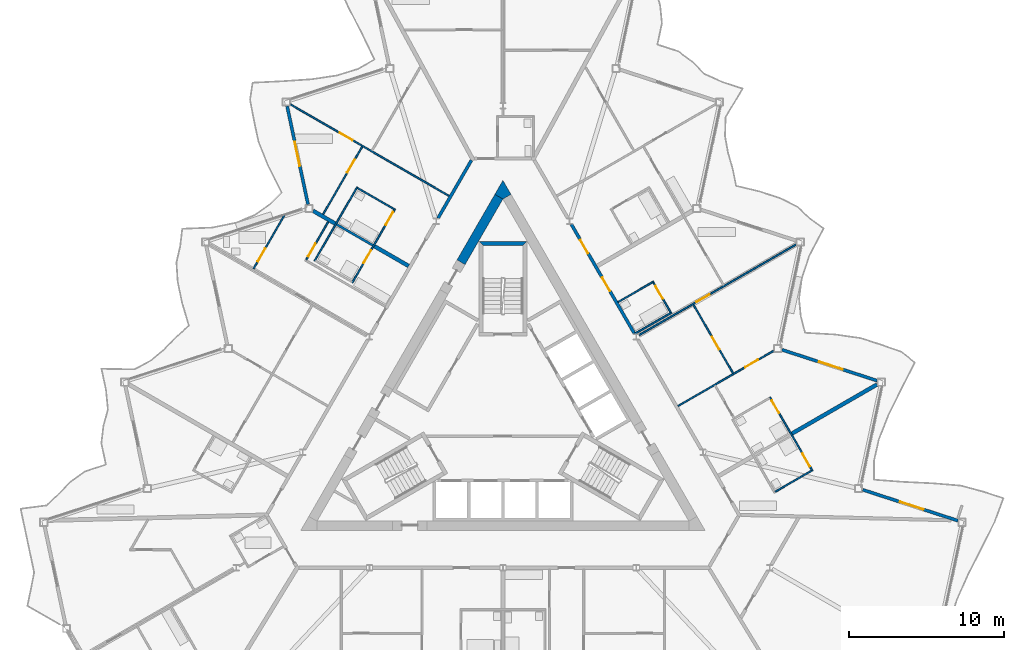
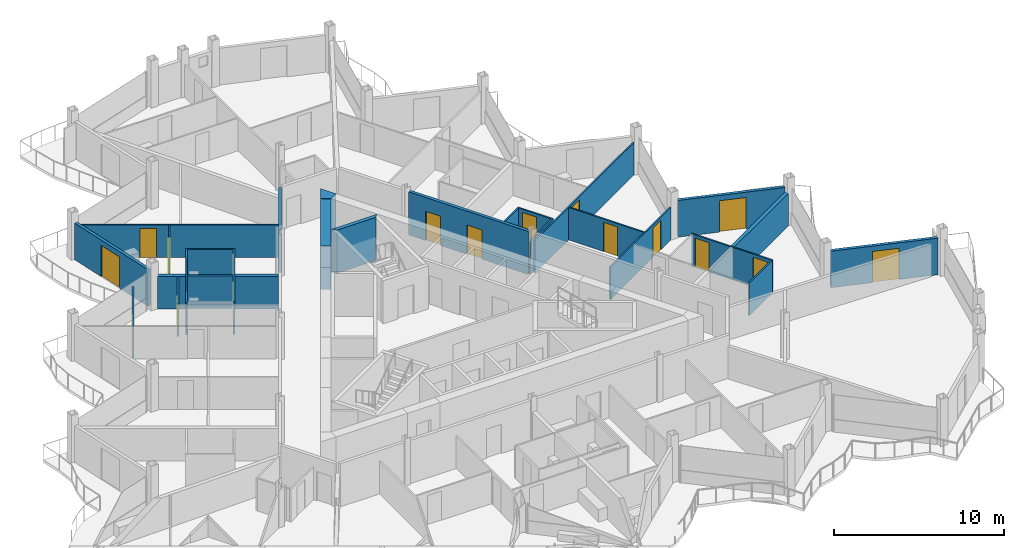
# One storey, part 16 of 26: 27 walls, 17 doors, 17 openings.
"""IFC4 building model written with IfcOpenShell, lengths in metres."""

from ifc_helpers import new_model, si_unit, direction, frame, frame_2d, origin, place, context, subcontext, project, spatial, polyline, rectangle, outline, extrude, material, layer, layer_set, type_object, element, fill, save


model = new_model("IFC4")

# Units and contexts
model_context = context("Model", 3, precision=1e-05, world=origin(), true_north=direction((0.0, 1.0)))
body_context = subcontext(model_context, "Body", "Model", "MODEL_VIEW")
ifc_project = project(units=[si_unit("LENGTHUNIT", "METRE"), si_unit("AREAUNIT", "SQUARE_METRE"), si_unit("VOLUMEUNIT", "CUBIC_METRE"), si_unit("PLANEANGLEUNIT", "RADIAN"), si_unit("MASSUNIT", "GRAM", prefix="KILO")], contexts=[model_context])

# Site, building, storey
site_placement = place(None, origin())
site = spatial("IfcSite", under=ifc_project, at=site_placement, CompositionType="ELEMENT")
building_placement = place(site_placement, origin())
building = spatial("IfcBuilding", under=site, at=building_placement, Name="Cormorant Prow Tower", CompositionType="ELEMENT")
storey_placement = place(building_placement, frame((0.0, 0.0, 398.39990234375)))
storey = spatial("IfcBuildingStorey", under=building, at=storey_placement, Name="L91", CompositionType="ELEMENT", Elevation=398.39990234375)

# Walls
ifc_material_1 = material(Name="Concrete 8000 psi", Category="concrete")
ifc_layer_1 = layer(ifc_material_1, 0.60009765625)
ifc_layer_set_1 = layer_set([ifc_layer_1], Name="Concrete 8000 psi")
wall_type_1 = type_object("IfcWallType", Name="Core shear wall 600", PredefinedType="SHEAR", material=ifc_layer_set_1)
wall_1_placement = place(storey_placement, frame((-0.259765625, 13.961181640625, 0.0), z_axis=(0.0, 0.0, 1.0), x_axis=(-0.50000604952, -0.866021911064, 0.0)))
element("IfcWall", 1, at=wall_1_placement, inside=storey, type_object=wall_type_1, Name="Core wall", PredefinedType="SHEAR", context=body_context, shape_type="SweptSolid", body=[
    extrude(rectangle(XDim=4.86865234375, YDim=0.60009765625, at=frame_2d((2.434326171875, 0.0))), origin(), (0.0, 0.0, 1.0), 3.10009765625),
])
wall_2_placement = place(storey_placement, origin())
element("IfcWall", 2, at=wall_2_placement, inside=storey, type_object=wall_type_1, Name="Core wall corner", PredefinedType="SHEAR", context=body_context, shape_type="SweptSolid", body=[
    extrude(outline(polyline([(-0.51953125, 14.111083984375), (0.0, 15.010986328125), (0.51953125, 14.111083984375), (0.0, 13.81103515625), (-0.51953125, 14.111083984375)])), origin(), (0.0, 0.0, 1.0), 3.10009765625),
])

# Wall, openings, doors
ifc_material_2 = material(Name="Gypsum board corridor wall")
ifc_layer_2 = layer(ifc_material_2, 0.199951171875)
ifc_layer_set_2 = layer_set([ifc_layer_2], Name="Gypsum board corridor wall")
wall_type_2 = type_object("IfcWallType", Name="Corridor wall 200", PredefinedType="PARTITIONING", material=ifc_layer_set_2)
wall_3_placement = place(storey_placement, frame((4.403076171875, 12.184814453125, 0.0), z_axis=(0.0, 0.0, 1.0), x_axis=(0.499992155518, -0.866029932751, 0.0)))
wall_3 = element("IfcWall", 3, at=wall_3_placement, inside=storey, type_object=wall_type_2, Name="Corridor wall", PredefinedType="PARTITIONING", context=body_context, shape_type="SweptSolid", body=[
    extrude(rectangle(XDim=8.123291015625, YDim=0.199951171875, at=frame_2d((4.0615234375, 0.0))), origin(), (0.0, 0.0, 1.0), 3.10009765625),
])
opening_1_placement = place(wall_3_placement, frame((3.963134765625, 0.0, 0.0)))
opening_1 = element("IfcOpeningElement", 4, at=opening_1_placement, cuts=wall_3, Name="Opening L91-F20", PredefinedType="OPENING", context=body_context, shape_type="SweptSolid", body=[
    extrude(rectangle(XDim=1.0, YDim=2.10009765625, at=frame_2d((0.5, 1.050048828125))), frame((0.0, 0.10986328125, 0.0), z_axis=(0.0, -1.0, 0.0), x_axis=(1.0, 0.0, 0.0)), (0.0, 0.0, 1.0), 0.219970703125),
])
opening_2_placement = place(wall_3_placement, frame((1.1533203125, 0.0, 0.0)))
opening_2 = element("IfcOpeningElement", 5, at=opening_2_placement, cuts=wall_3, Name="Opening L91-F28", PredefinedType="OPENING", context=body_context, shape_type="SweptSolid", body=[
    extrude(rectangle(XDim=1.0, YDim=2.10009765625, at=frame_2d((0.5, 1.050048828125))), frame((0.0, 0.10986328125, 0.0), z_axis=(0.0, -1.0, 0.0), x_axis=(1.0, 0.0, 0.0)), (0.0, 0.0, 1.0), 0.219970703125),
])
ifc_material_3 = material(Name="Timber door leaf", Category="wood")
door_type_1 = type_object("IfcDoorType", Name="Flat or room entrance door 1000x2100", OperationType="NOTDEFINED", PredefinedType="DOOR", material=ifc_material_3)
door_1_placement = place(opening_1_placement, origin())
door_1 = element("IfcDoor", 6, at=door_1_placement, inside=storey, type_object=door_type_1, Name="Living room door", OperationType="SINGLE_SWING_LEFT", OverallHeight=2.10009765625, OverallWidth=1.0, PredefinedType="DOOR", context=body_context, shape_type="SweptSolid", body=[
    extrude(rectangle(XDim=1.0, YDim=2.10009765625, at=frame_2d((0.5, 1.050048828125))), frame((0.0, 0.02490234375, 0.0), z_axis=(0.0, -1.0, 0.0), x_axis=(1.0, 0.0, 0.0)), (0.0, 0.0, 1.0), 0.050048828125),
])
fill(opening_1, door_1)
door_2_placement = place(opening_2_placement, origin())
door_2 = element("IfcDoor", 7, at=door_2_placement, inside=storey, type_object=door_type_1, Name="Living room door", OperationType="SINGLE_SWING_RIGHT", OverallHeight=2.10009765625, OverallWidth=1.0, PredefinedType="DOOR", context=body_context, shape_type="SweptSolid", body=[
    extrude(rectangle(XDim=1.0, YDim=2.10009765625, at=frame_2d((0.5, 1.050048828125))), frame((0.0, 0.02490234375, 0.0), z_axis=(0.0, -1.0, 0.0), x_axis=(1.0, 0.0, 0.0)), (0.0, 0.0, 1.0), 0.050048828125),
])
fill(opening_2, door_2)

# Wall
wall_4_placement = place(storey_placement, frame((-4.175537109375, 12.578857421875, 0.0), z_axis=(0.0, 0.0, 1.0), x_axis=(0.500004215162, 0.866022970146, 0.0)))
element("IfcWall", 8, at=wall_4_placement, inside=storey, type_object=wall_type_2, Name="Corridor wall", PredefinedType="PARTITIONING", context=body_context, shape_type="SweptSolid", body=[
    extrude(rectangle(XDim=4.30029296875, YDim=0.199951171875, at=frame_2d((2.150146484375, 0.0))), origin(), (0.0, 0.0, 1.0), 3.10009765625),
])

# Wall, opening, door
ifc_material_4 = material(Name="Gypsum board partition")
ifc_layer_3 = layer(ifc_material_4, 0.10009765625)
ifc_layer_set_3 = layer_set([ifc_layer_3], Name="Gypsum board partition")
wall_type_3 = type_object("IfcWallType", Name="Internal partition 100", PredefinedType="PARTITIONING", material=ifc_layer_set_3)
wall_5_placement = place(storey_placement, frame((-13.668701171875, 19.900390625, 0.0), z_axis=(0.0, 0.0, 1.0), x_axis=(0.866032376801, -0.499987922186, 0.0)))
wall_5 = element("IfcWall", 9, at=wall_5_placement, inside=storey, type_object=wall_type_3, Name="Internal partition", PredefinedType="PARTITIONING", context=body_context, shape_type="SweptSolid", body=[
    extrude(rectangle(XDim=11.781982421875, YDim=0.10009765625, at=frame_2d((5.89111328125, 0.0))), origin(), (0.0, 0.0, 1.0), 2.330078125),
])
opening_3_placement = place(wall_5_placement, frame((3.66064453125, 0.0, 0.0)))
opening_3 = element("IfcOpeningElement", 10, at=opening_3_placement, cuts=wall_5, Name="Opening L91-F42", PredefinedType="OPENING", context=body_context, shape_type="SweptSolid", body=[
    extrude(rectangle(XDim=0.949951171875, YDim=2.10009765625, at=frame_2d((0.47509765625, 1.050048828125))), frame((0.0, 0.06005859375, 0.0), z_axis=(0.0, -1.0, 0.0), x_axis=(1.0, 0.0, 0.0)), (0.0, 0.0, 1.0), 0.1201171875),
])
ifc_material_5 = material(Name="Timber door leaf", Category="wood")
door_type_2 = type_object("IfcDoorType", Name="Bathroom door 950x2100", OperationType="NOTDEFINED", PredefinedType="DOOR", material=ifc_material_5)
door_3_placement = place(opening_3_placement, origin())
door_3 = element("IfcDoor", 11, at=door_3_placement, inside=storey, type_object=door_type_2, Name="Kitchen door", OperationType="SINGLE_SWING_RIGHT", OverallHeight=2.10009765625, OverallWidth=0.949951171875, PredefinedType="DOOR", context=body_context, shape_type="SweptSolid", body=[
    extrude(rectangle(XDim=0.949951171875, YDim=2.10009765625, at=frame_2d((0.47509765625, 1.050048828125))), frame((0.0, 0.02490234375, 0.0), z_axis=(0.0, -1.0, 0.0), x_axis=(1.0, 0.0, 0.0)), (0.0, 0.0, 1.0), 0.050048828125),
])
fill(opening_3, door_3)

wall_6_placement = place(storey_placement, frame((8.775390625, 5.06640625, 0.0), z_axis=(0.0, 0.0, 1.0), x_axis=(0.866023724155, 0.500002909193, 0.0)))
wall_6 = element("IfcWall", 12, at=wall_6_placement, inside=storey, type_object=wall_type_3, Name="Internal partition", PredefinedType="PARTITIONING", context=body_context, shape_type="SweptSolid", body=[
    extrude(rectangle(XDim=11.65478515625, YDim=0.10009765625, at=frame_2d((5.827392578125, 0.0))), origin(), (0.0, 0.0, 1.0), 2.330078125),
])
opening_4_placement = place(wall_6_placement, frame((4.251708984375, 0.0, 0.0)))
opening_4 = element("IfcOpeningElement", 13, at=opening_4_placement, cuts=wall_6, Name="Opening L91-F23", PredefinedType="OPENING", context=body_context, shape_type="SweptSolid", body=[
    extrude(rectangle(XDim=0.949951171875, YDim=2.10009765625, at=frame_2d((0.47509765625, 1.050048828125))), frame((0.0, 0.06005859375, 0.0), z_axis=(0.0, -1.0, 0.0), x_axis=(1.0, 0.0, 0.0)), (0.0, 0.0, 1.0), 0.1201171875),
])
door_4_placement = place(opening_4_placement, origin())
door_4 = element("IfcDoor", 14, at=door_4_placement, inside=storey, type_object=door_type_2, Name="Living room door", OperationType="SINGLE_SWING_LEFT", OverallHeight=2.10009765625, OverallWidth=0.949951171875, PredefinedType="DOOR", context=body_context, shape_type="SweptSolid", body=[
    extrude(rectangle(XDim=0.949951171875, YDim=2.10009765625, at=frame_2d((0.47509765625, 1.050048828125))), frame((0.0, 0.02490234375, 0.0), z_axis=(0.0, -1.0, 0.0), x_axis=(1.0, 0.0, 0.0)), (0.0, 0.0, 1.0), 0.050048828125),
])
fill(opening_4, door_4)

wall_7_placement = place(storey_placement, frame((11.26513671875, 0.49951171875, 0.0), z_axis=(0.0, 0.0, 1.0), x_axis=(0.866033839264, 0.499985389037, 0.0)))
wall_7 = element("IfcWall", 15, at=wall_7_placement, inside=storey, type_object=wall_type_3, Name="Internal partition", PredefinedType="PARTITIONING", context=body_context, shape_type="SweptSolid", body=[
    extrude(rectangle(XDim=7.099853515625, YDim=0.10009765625, at=frame_2d((3.5498046875, 0.0))), origin(), (0.0, 0.0, 1.0), 2.330078125),
])
opening_5_placement = place(wall_7_placement, frame((4.991943359375, 0.0, 0.0)))
opening_5 = element("IfcOpeningElement", 16, at=opening_5_placement, cuts=wall_7, Name="Opening L91-F25", PredefinedType="OPENING", context=body_context, shape_type="SweptSolid", body=[
    extrude(rectangle(XDim=0.949951171875, YDim=2.10009765625, at=frame_2d((0.47509765625, 1.050048828125))), frame((0.0, 0.06005859375, 0.0), z_axis=(0.0, -1.0, 0.0), x_axis=(1.0, 0.0, 0.0)), (0.0, 0.0, 1.0), 0.1201171875),
])
door_5_placement = place(opening_5_placement, origin())
door_5 = element("IfcDoor", 17, at=door_5_placement, inside=storey, type_object=door_type_2, Name="Bedroom door", OperationType="SINGLE_SWING_LEFT", OverallHeight=2.10009765625, OverallWidth=0.949951171875, PredefinedType="DOOR", context=body_context, shape_type="SweptSolid", body=[
    extrude(rectangle(XDim=0.949951171875, YDim=2.10009765625, at=frame_2d((0.47509765625, 1.050048828125))), frame((0.0, 0.02490234375, 0.0), z_axis=(0.0, -1.0, 0.0), x_axis=(1.0, 0.0, 0.0)), (0.0, 0.0, 1.0), 0.050048828125),
])
fill(opening_5, door_5)

# Wall
wall_8_placement = place(storey_placement, frame((-12.11669921875, 9.824462890625, 0.0), z_axis=(0.0, 0.0, 1.0), x_axis=(0.499996545922, 0.866027397988, 0.0)))
element("IfcWall", 18, at=wall_8_placement, inside=storey, type_object=wall_type_3, Name="Internal partition", PredefinedType="PARTITIONING", context=body_context, shape_type="SweptSolid", body=[
    extrude(rectangle(XDim=5.5, YDim=0.10009765625, at=frame_2d((2.75, 0.0))), origin(), (0.0, 0.0, 1.0), 2.330078125),
])

# Wall, openings, doors
wall_9_placement = place(storey_placement, frame((-9.691650390625, 8.424560546875, 0.0), z_axis=(0.0, 0.0, 1.0), x_axis=(0.499996545922, 0.866027397988, 0.0)))
wall_9 = element("IfcWall", 19, at=wall_9_placement, inside=storey, type_object=wall_type_3, Name="Internal partition", PredefinedType="PARTITIONING", context=body_context, shape_type="SweptSolid", body=[
    extrude(rectangle(XDim=5.5, YDim=0.10009765625, at=frame_2d((2.75, 0.0))), origin(), (0.0, 0.0, 1.0), 2.330078125),
])
opening_6_placement = place(wall_9_placement, frame((4.300048828125, 0.0, 0.0)))
opening_6 = element("IfcOpeningElement", 20, at=opening_6_placement, cuts=wall_9, Name="Opening L91-F40", PredefinedType="OPENING", context=body_context, shape_type="SweptSolid", body=[
    extrude(rectangle(XDim=0.949951171875, YDim=2.10009765625, at=frame_2d((0.47509765625, 1.050048828125))), frame((0.0, 0.06005859375, 0.0), z_axis=(0.0, -1.0, 0.0), x_axis=(1.0, 0.0, 0.0)), (0.0, 0.0, 1.0), 0.1201171875),
])
opening_7_placement = place(wall_9_placement, frame((1.465087890625, 0.0, 0.0)))
opening_7 = element("IfcOpeningElement", 21, at=opening_7_placement, cuts=wall_9, Name="Opening L91-F51", PredefinedType="OPENING", context=body_context, shape_type="SweptSolid", body=[
    extrude(rectangle(XDim=0.949951171875, YDim=2.10009765625, at=frame_2d((0.47509765625, 1.050048828125))), frame((0.0, 0.06005859375, 0.0), z_axis=(0.0, -1.0, 0.0), x_axis=(1.0, 0.0, 0.0)), (0.0, 0.0, 1.0), 0.1201171875),
])
door_6_placement = place(opening_6_placement, origin())
door_6 = element("IfcDoor", 22, at=door_6_placement, inside=storey, type_object=door_type_2, Name="Living room door", OperationType="SINGLE_SWING_RIGHT", OverallHeight=2.10009765625, OverallWidth=0.949951171875, PredefinedType="DOOR", context=body_context, shape_type="SweptSolid", body=[
    extrude(rectangle(XDim=0.949951171875, YDim=2.10009765625, at=frame_2d((0.47509765625, 1.050048828125))), frame((0.0, 0.02490234375, 0.0), z_axis=(0.0, -1.0, 0.0), x_axis=(1.0, 0.0, 0.0)), (0.0, 0.0, 1.0), 0.050048828125),
])
fill(opening_6, door_6)
door_7_placement = place(opening_7_placement, origin())
door_7 = element("IfcDoor", 23, at=door_7_placement, inside=storey, type_object=door_type_2, Name="Kitchen door", OperationType="SINGLE_SWING_RIGHT", OverallHeight=2.10009765625, OverallWidth=0.949951171875, PredefinedType="DOOR", context=body_context, shape_type="SweptSolid", body=[
    extrude(rectangle(XDim=0.949951171875, YDim=2.10009765625, at=frame_2d((0.47509765625, 1.050048828125))), frame((0.0, 0.02490234375, 0.0), z_axis=(0.0, -1.0, 0.0), x_axis=(1.0, 0.0, 0.0)), (0.0, 0.0, 1.0), 0.050048828125),
])
fill(opening_7, door_7)

wall_10_placement = place(storey_placement, frame((17.16650390625, 1.07763671875, 0.0), z_axis=(0.0, 0.0, 1.0), x_axis=(0.499996545922, -0.866027397988, 0.0)))
wall_10 = element("IfcWall", 24, at=wall_10_placement, inside=storey, type_object=wall_type_3, Name="Internal partition", PredefinedType="PARTITIONING", context=body_context, shape_type="SweptSolid", body=[
    extrude(rectangle(XDim=5.5, YDim=0.10009765625, at=frame_2d((2.75, 0.0))), origin(), (0.0, 0.0, 1.0), 2.330078125),
])
opening_8_placement = place(wall_10_placement, frame((4.19873046875, 0.0, 0.0)))
opening_8 = element("IfcOpeningElement", 25, at=opening_8_placement, cuts=wall_10, Name="Opening L91-F19", PredefinedType="OPENING", context=body_context, shape_type="SweptSolid", body=[
    extrude(rectangle(XDim=0.949951171875, YDim=2.10009765625, at=frame_2d((0.47509765625, 1.050048828125))), frame((0.0, 0.06005859375, 0.0), z_axis=(0.0, -1.0, 0.0), x_axis=(1.0, 0.0, 0.0)), (0.0, 0.0, 1.0), 0.1201171875),
])
opening_9_placement = place(wall_10_placement, frame((0.25, 0.0, 0.0)))
opening_9 = element("IfcOpeningElement", 26, at=opening_9_placement, cuts=wall_10, Name="Opening L91-F27", PredefinedType="OPENING", context=body_context, shape_type="SweptSolid", body=[
    extrude(rectangle(XDim=0.949951171875, YDim=2.10009765625, at=frame_2d((0.47509765625, 1.050048828125))), frame((0.0, 0.06005859375, 0.0), z_axis=(0.0, -1.0, 0.0), x_axis=(1.0, 0.0, 0.0)), (0.0, 0.0, 1.0), 0.1201171875),
])
door_8_placement = place(opening_8_placement, origin())
door_8 = element("IfcDoor", 27, at=door_8_placement, inside=storey, type_object=door_type_2, Name="Studio living, kitchen and sleeping room door", OperationType="SINGLE_SWING_RIGHT", OverallHeight=2.10009765625, OverallWidth=0.949951171875, PredefinedType="DOOR", context=body_context, shape_type="SweptSolid", body=[
    extrude(rectangle(XDim=0.949951171875, YDim=2.10009765625, at=frame_2d((0.47509765625, 1.050048828125))), frame((0.0, 0.02490234375, 0.0), z_axis=(0.0, -1.0, 0.0), x_axis=(1.0, 0.0, 0.0)), (0.0, 0.0, 1.0), 0.050048828125),
])
fill(opening_8, door_8)
door_9_placement = place(opening_9_placement, origin())
door_9 = element("IfcDoor", 28, at=door_9_placement, inside=storey, type_object=door_type_2, Name="Bedroom door", OperationType="SINGLE_SWING_LEFT", OverallHeight=2.10009765625, OverallWidth=0.949951171875, PredefinedType="DOOR", context=body_context, shape_type="SweptSolid", body=[
    extrude(rectangle(XDim=0.949951171875, YDim=2.10009765625, at=frame_2d((0.47509765625, 1.050048828125))), frame((0.0, 0.02490234375, 0.0), z_axis=(0.0, -1.0, 0.0), x_axis=(1.0, 0.0, 0.0)), (0.0, 0.0, 1.0), 0.050048828125),
])
fill(opening_9, door_9)

# Wall, opening, door
wall_11_placement = place(storey_placement, frame((12.25390625, 7.01708984375, 0.0), z_axis=(0.0, 0.0, 1.0), x_axis=(0.500005610874, -0.86602216432, 0.0)))
wall_11 = element("IfcWall", 29, at=wall_11_placement, inside=storey, type_object=wall_type_3, Name="Internal partition", PredefinedType="PARTITIONING", context=body_context, shape_type="SweptSolid", body=[
    extrude(rectangle(XDim=5.10009765625, YDim=0.10009765625, at=frame_2d((2.550048828125, 0.0))), origin(), (0.0, 0.0, 1.0), 2.330078125),
])
opening_10_placement = place(wall_11_placement, frame((2.379150390625, 0.0, 0.0)))
opening_10 = element("IfcOpeningElement", 30, at=opening_10_placement, cuts=wall_11, Name="Opening L91-F24", PredefinedType="OPENING", context=body_context, shape_type="SweptSolid", body=[
    extrude(rectangle(XDim=0.949951171875, YDim=2.10009765625, at=frame_2d((0.47509765625, 1.050048828125))), frame((0.0, 0.06005859375, 0.0), z_axis=(0.0, -1.0, 0.0), x_axis=(1.0, 0.0, 0.0)), (0.0, 0.0, 1.0), 0.1201171875),
])
door_10_placement = place(opening_10_placement, origin())
door_10 = element("IfcDoor", 31, at=door_10_placement, inside=storey, type_object=door_type_2, Name="Bedroom door", OperationType="SINGLE_SWING_RIGHT", OverallHeight=2.10009765625, OverallWidth=0.949951171875, PredefinedType="DOOR", context=body_context, shape_type="SweptSolid", body=[
    extrude(rectangle(XDim=0.949951171875, YDim=2.10009765625, at=frame_2d((0.47509765625, 1.050048828125))), frame((0.0, 0.02490234375, 0.0), z_axis=(0.0, -1.0, 0.0), x_axis=(1.0, 0.0, 0.0)), (0.0, 0.0, 1.0), 0.050048828125),
])
fill(opening_10, door_10)

wall_12_placement = place(storey_placement, frame((-11.56494140625, 12.82568359375, 0.0), z_axis=(0.0, 0.0, 1.0), x_axis=(0.499990214365, 0.86603105345, 0.0)))
wall_12 = element("IfcWall", 32, at=wall_12_placement, inside=storey, type_object=wall_type_3, Name="Internal partition", PredefinedType="PARTITIONING", context=body_context, shape_type="SweptSolid", body=[
    extrude(rectangle(XDim=5.02490234375, YDim=0.10009765625, at=frame_2d((2.512451171875, 0.0))), origin(), (0.0, 0.0, 1.0), 2.330078125),
])
opening_11_placement = place(wall_12_placement, frame((3.110107421875, 0.0, 0.0)))
opening_11 = element("IfcOpeningElement", 33, at=opening_11_placement, cuts=wall_12, Name="Opening L91-F41", PredefinedType="OPENING", context=body_context, shape_type="SweptSolid", body=[
    extrude(rectangle(XDim=0.949951171875, YDim=2.10009765625, at=frame_2d((0.47509765625, 1.050048828125))), frame((0.0, 0.06005859375, 0.0), z_axis=(0.0, -1.0, 0.0), x_axis=(1.0, 0.0, 0.0)), (0.0, 0.0, 1.0), 0.1201171875),
])
door_11_placement = place(opening_11_placement, origin())
door_11 = element("IfcDoor", 34, at=door_11_placement, inside=storey, type_object=door_type_2, Name="Living room door", OperationType="SINGLE_SWING_RIGHT", OverallHeight=2.10009765625, OverallWidth=0.949951171875, PredefinedType="DOOR", context=body_context, shape_type="SweptSolid", body=[
    extrude(rectangle(XDim=0.949951171875, YDim=2.10009765625, at=frame_2d((0.47509765625, 1.050048828125))), frame((0.0, 0.02490234375, 0.0), z_axis=(0.0, -1.0, 0.0), x_axis=(1.0, 0.0, 0.0)), (0.0, 0.0, 1.0), 0.050048828125),
])
fill(opening_11, door_11)

wall_13_placement = place(storey_placement, frame((-16.044921875, 9.3212890625, 0.0), z_axis=(0.0, 0.0, 1.0), x_axis=(0.500014251897, 0.866017175291, 0.0)))
wall_13 = element("IfcWall", 35, at=wall_13_placement, inside=storey, type_object=wall_type_3, Name="Internal partition", PredefinedType="PARTITIONING", context=body_context, shape_type="SweptSolid", body=[
    extrude(rectangle(XDim=4.03173828125, YDim=0.10009765625, at=frame_2d((2.015869140625, 0.0))), origin(), (0.0, 0.0, 1.0), 2.330078125),
])
opening_12_placement = place(wall_13_placement, frame((0.559814453125, 0.0, 0.0)))
opening_12 = element("IfcOpeningElement", 36, at=opening_12_placement, cuts=wall_13, Name="Opening L91-F45", PredefinedType="OPENING", context=body_context, shape_type="SweptSolid", body=[
    extrude(rectangle(XDim=0.949951171875, YDim=2.10009765625, at=frame_2d((0.47509765625, 1.050048828125))), frame((0.0, 0.06005859375, 0.0), z_axis=(0.0, -1.0, 0.0), x_axis=(1.0, 0.0, 0.0)), (0.0, 0.0, 1.0), 0.1201171875),
])
door_12_placement = place(opening_12_placement, origin())
door_12 = element("IfcDoor", 37, at=door_12_placement, inside=storey, type_object=door_type_2, Name="Living room door", OperationType="SINGLE_SWING_LEFT", OverallHeight=2.10009765625, OverallWidth=0.949951171875, PredefinedType="DOOR", context=body_context, shape_type="SweptSolid", body=[
    extrude(rectangle(XDim=0.949951171875, YDim=2.10009765625, at=frame_2d((0.47509765625, 1.050048828125))), frame((0.0, 0.02490234375, 0.0), z_axis=(0.0, -1.0, 0.0), x_axis=(1.0, 0.0, 0.0)), (0.0, 0.0, 1.0), 0.050048828125),
])
fill(opening_12, door_12)

wall_14_placement = place(storey_placement, frame((-12.649658203125, 9.9013671875, 0.0), z_axis=(0.0, 0.0, 1.0), x_axis=(0.500024172624, 0.866011447264, 0.0)))
wall_14 = element("IfcWall", 38, at=wall_14_placement, inside=storey, type_object=wall_type_3, Name="Internal partition", PredefinedType="PARTITIONING", context=body_context, shape_type="SweptSolid", body=[
    extrude(rectangle(XDim=2.824951171875, YDim=0.10009765625, at=frame_2d((1.41259765625, 0.0))), origin(), (0.0, 0.0, 1.0), 2.330078125),
])
opening_13_placement = place(wall_14_placement, frame((0.25, 0.0, 0.0)))
opening_13 = element("IfcOpeningElement", 39, at=opening_13_placement, cuts=wall_14, Name="Opening L91-F46", PredefinedType="OPENING", context=body_context, shape_type="SweptSolid", body=[
    extrude(rectangle(XDim=0.949951171875, YDim=2.10009765625, at=frame_2d((0.47509765625, 1.050048828125))), frame((0.0, 0.06005859375, 0.0), z_axis=(0.0, -1.0, 0.0), x_axis=(1.0, 0.0, 0.0)), (0.0, 0.0, 1.0), 0.1201171875),
])
door_13_placement = place(opening_13_placement, origin())
door_13 = element("IfcDoor", 40, at=door_13_placement, inside=storey, type_object=door_type_2, Name="Living room door", OperationType="SINGLE_SWING_LEFT", OverallHeight=2.10009765625, OverallWidth=0.949951171875, PredefinedType="DOOR", context=body_context, shape_type="SweptSolid", body=[
    extrude(rectangle(XDim=0.949951171875, YDim=2.10009765625, at=frame_2d((0.47509765625, 1.050048828125))), frame((0.0, 0.02490234375, 0.0), z_axis=(0.0, -1.0, 0.0), x_axis=(1.0, 0.0, 0.0)), (0.0, 0.0, 1.0), 0.050048828125),
])
fill(opening_13, door_13)

# Walls
for number, where, z_axis, x_axis, name in (
    (41, (-9.348388671875, 14.519287109375, 0.0), (0.0, 0.0, 1.0), (0.866059108428, -0.4999416173, 0.0), "Internal partition"),
    (42, (17.510009765625, -5.01708984375, 0.0), (0.0, 0.0, 1.0), (0.866059108428, 0.4999416173, 0.0), "Internal partition"),
):
    element("IfcWall", number, at=place(storey_placement, frame(where, z_axis=z_axis, x_axis=x_axis)), inside=storey, type_object=wall_type_3, Name=name, PredefinedType="PARTITIONING", context=body_context, shape_type="SweptSolid", body=[
        extrude(rectangle(XDim=2.699951171875, YDim=0.10009765625, at=frame_2d((1.35009765625, 0.0))), origin(), (0.0, 0.0, 1.0), 2.330078125),
    ])
wall_15_placement = place(storey_placement, frame((7.406982421875, 7.181640625, 0.0), z_axis=(0.0, 0.0, 1.0), x_axis=(0.866052124492, 0.499953715521, 0.0)))
element("IfcWall", 43, at=wall_15_placement, inside=storey, type_object=wall_type_3, Name="Internal partition", PredefinedType="PARTITIONING", context=body_context, shape_type="SweptSolid", body=[
    extrude(rectangle(XDim=2.650146484375, YDim=0.10009765625, at=frame_2d((1.3251953125, 0.0))), origin(), (0.0, 0.0, 1.0), 2.330078125),
])
wall_16_placement = place(storey_placement, frame((8.48779296875, 5.14990234375, 0.0), z_axis=(0.0, 0.0, 1.0), x_axis=(0.866027727466, 0.499995975244, 0.0)))
element("IfcWall", 44, at=wall_16_placement, inside=storey, type_object=wall_type_3, Name="Internal partition", PredefinedType="PARTITIONING", context=body_context, shape_type="SweptSolid", body=[
    extrude(rectangle(XDim=2.72998046875, YDim=0.10009765625, at=frame_2d((1.364990234375, 0.0))), origin(), (0.0, 0.0, 1.0), 2.330078125),
])

# Wall, opening, door
wall_17_placement = place(storey_placement, frame((9.683837890625, 8.438232421875, 0.0), z_axis=(0.0, 0.0, 1.0), x_axis=(0.499994660107, -0.866028486751, 0.0)))
wall_17 = element("IfcWall", 45, at=wall_17_placement, inside=storey, type_object=wall_type_3, Name="Internal partition", PredefinedType="PARTITIONING", context=body_context, shape_type="SweptSolid", body=[
    extrude(rectangle(XDim=2.19970703125, YDim=0.10009765625, at=frame_2d((1.099853515625, 0.0))), origin(), (0.0, 0.0, 1.0), 2.330078125),
])
opening_14_placement = place(wall_17_placement, frame((0.25, 0.0, 0.0)))
opening_14 = element("IfcOpeningElement", 46, at=opening_14_placement, cuts=wall_17, Name="Opening L91-F21", PredefinedType="OPENING", context=body_context, shape_type="SweptSolid", body=[
    extrude(rectangle(XDim=0.949951171875, YDim=2.10009765625, at=frame_2d((0.47509765625, 1.050048828125))), frame((0.0, 0.06005859375, 0.0), z_axis=(0.0, -1.0, 0.0), x_axis=(1.0, 0.0, 0.0)), (0.0, 0.0, 1.0), 0.1201171875),
])
door_14_placement = place(opening_14_placement, origin())
door_14 = element("IfcDoor", 47, at=door_14_placement, inside=storey, type_object=door_type_2, Name="Living room door", OperationType="SINGLE_SWING_LEFT", OverallHeight=2.10009765625, OverallWidth=0.949951171875, PredefinedType="DOOR", context=body_context, shape_type="SweptSolid", body=[
    extrude(rectangle(XDim=0.949951171875, YDim=2.10009765625, at=frame_2d((0.47509765625, 1.050048828125))), frame((0.0, 0.02490234375, 0.0), z_axis=(0.0, -1.0, 0.0), x_axis=(1.0, 0.0, 0.0)), (0.0, 0.0, 1.0), 0.050048828125),
])
fill(opening_14, door_14)

# Walls
ifc_material_6 = material(Name="Concrete 8000 psi", Category="concrete")
ifc_layer_4 = layer(ifc_material_6, 0.25)
ifc_layer_set_4 = layer_set([ifc_layer_4], Name="Concrete 8000 psi")
wall_type_4 = type_object("IfcWallType", Name="Stair wall 250", PredefinedType="SHEAR", material=ifc_layer_set_4)
wall_18_placement = place(storey_placement, origin())
element("IfcWall", 48, at=wall_18_placement, inside=storey, type_object=wall_type_4, Name="Stair ST3 enclosure wall (end)", PredefinedType="SHEAR", context=body_context, shape_type="SweptSolid", body=[
    extrude(outline(polyline([(1.5439453125, 11.0869140625), (-1.5439453125, 11.0869140625), (-1.2939453125, 10.8369140625), (1.2939453125, 10.8369140625), (1.5439453125, 11.0869140625)])), origin(), (0.0, 0.0, 1.0), 3.10009765625),
])
ifc_material_7 = material(Name="Acoustic gypsum party wall")
ifc_layer_5 = layer(ifc_material_7, 0.25)
ifc_layer_set_5 = layer_set([ifc_layer_5], Name="Acoustic gypsum party wall")
wall_type_5 = type_object("IfcWallType", Name="Suite party wall 250", PredefinedType="PARTITIONING", material=ifc_layer_set_5)
wall_19_placement = place(storey_placement, frame((18.5849609375, -1.27880859375, 0.0), z_axis=(0.0, 0.0, 1.0), x_axis=(0.866023139795, 0.500003921324, 0.0)))
element("IfcWall", 49, at=wall_19_placement, inside=storey, type_object=wall_type_5, Name="Suite party wall", PredefinedType="PARTITIONING", context=body_context, shape_type="SweptSolid", body=[
    extrude(rectangle(XDim=6.33203125, YDim=0.25, at=frame_2d((3.166015625, 0.0))), origin(), (0.0, 0.0, 1.0), 2.330078125),
])
wall_20_placement = place(storey_placement, frame((-8.2734375, 10.781005859375, 0.0), z_axis=(0.0, 0.0, 1.0), x_axis=(0.866030925526, -0.499990435942, 0.0)))
element("IfcWall", 50, at=wall_20_placement, inside=storey, type_object=wall_type_5, Name="Suite party wall", PredefinedType="PARTITIONING", context=body_context, shape_type="SweptSolid", body=[
    extrude(rectangle(XDim=2.5498046875, YDim=0.25, at=frame_2d((1.27490234375, 0.0))), origin(), (0.0, 0.0, 1.0), 2.330078125),
])
wall_21_placement = place(storey_placement, frame((-12.2138671875, 13.05615234375, 0.0), z_axis=(0.0, 0.0, 1.0), x_axis=(0.866040211805, -0.499974350878, 0.0)))
element("IfcWall", 51, at=wall_21_placement, inside=storey, type_object=wall_type_5, Name="Suite party wall", PredefinedType="PARTITIONING", context=body_context, shape_type="SweptSolid", body=[
    extrude(rectangle(XDim=1.64990234375, YDim=0.25, at=frame_2d((0.824951171875, 0.0))), origin(), (0.0, 0.0, 1.0), 2.330078125),
])

# Wall, opening, door
ifc_material_8 = material(Name="Terracotta", Category="masonry")
ifc_layer_6 = layer(ifc_material_8, 0.199951171875)
ifc_layer_set_6 = layer_set([ifc_layer_6], Name="Terracotta")
wall_type_6 = type_object("IfcWallType", Name="Terracotta jamb wall 200", PredefinedType="SOLIDWALL", material=ifc_layer_set_6)
wall_22_placement = place(storey_placement, frame((29.273681640625, -6.8798828125, 0.0), z_axis=(0.0, 0.0, 1.0), x_axis=(-0.951055516513, 0.309020071371, 0.0)))
wall_22 = element("IfcWall", 52, at=wall_22_placement, inside=storey, type_object=wall_type_6, Name="Terracotta jamb wall ENE01", PredefinedType="SOLIDWALL", context=body_context, shape_type="SweptSolid", body=[
    extrude(rectangle(XDim=6.4404296875, YDim=0.199951171875, at=frame_2d((3.22021484375, 0.0))), origin(), (0.0, 0.0, 1.0), 2.634033203125),
])
opening_15_placement = place(wall_22_placement, frame((2.332763671875, 0.0, 0.0)))
opening_15 = element("IfcOpeningElement", 53, at=opening_15_placement, cuts=wall_22, Name="Opening ED91.06", PredefinedType="OPENING", context=body_context, shape_type="SweptSolid", body=[
    extrude(rectangle(XDim=1.60009765625, YDim=2.25, at=frame_2d((0.800048828125, 1.125))), frame((0.0, 0.10986328125, 0.0), z_axis=(0.0, -1.0, 0.0), x_axis=(1.0, 0.0, 0.0)), (0.0, 0.0, 1.0), 0.219970703125),
])
ifc_material_9 = material(Name="Aluminium 6063-T6", Category="aluminium")
door_type_3 = type_object("IfcDoorType", Name="Balcony door 1600x2250", OperationType="DOUBLE_DOOR_SINGLE_SWING", PredefinedType="DOOR", material=ifc_material_9)
door_15_placement = place(opening_15_placement, origin())
door_15 = element("IfcDoor", 54, at=door_15_placement, inside=storey, type_object=door_type_3, Name="Balcony door ENE01 ED91.06", OperationType="DOUBLE_DOOR_SINGLE_SWING", OverallHeight=2.25, OverallWidth=1.60009765625, PredefinedType="DOOR", context=body_context, shape_type="SweptSolid", body=[
    extrude(rectangle(XDim=1.60009765625, YDim=2.25, at=frame_2d((0.800048828125, 1.125))), frame((0.0, 0.02490234375, 0.0), z_axis=(0.0, -1.0, 0.0), x_axis=(1.0, 0.0, 0.0)), (0.0, 0.0, 1.0), 0.050048828125),
])
fill(opening_15, door_15)

wall_23_placement = place(storey_placement, frame((24.07373046875, 2.126708984375, 0.0), z_axis=(0.0, 0.0, 1.0), x_axis=(-0.951055516513, 0.309020071371, 0.0)))
wall_23 = element("IfcWall", 55, at=wall_23_placement, inside=storey, type_object=wall_type_6, Name="Terracotta jamb wall ENE03", PredefinedType="SOLIDWALL", context=body_context, shape_type="SweptSolid", body=[
    extrude(rectangle(XDim=6.4404296875, YDim=0.199951171875, at=frame_2d((3.22021484375, 0.0))), origin(), (0.0, 0.0, 1.0), 2.634033203125),
])
opening_16_placement = place(wall_23_placement, frame((2.332763671875, 0.0, 0.0)))
opening_16 = element("IfcOpeningElement", 56, at=opening_16_placement, cuts=wall_23, Name="Opening ED91.07", PredefinedType="OPENING", context=body_context, shape_type="SweptSolid", body=[
    extrude(rectangle(XDim=1.60009765625, YDim=2.25, at=frame_2d((0.800048828125, 1.125))), frame((0.0, 0.10986328125, 0.0), z_axis=(0.0, -1.0, 0.0), x_axis=(1.0, 0.0, 0.0)), (0.0, 0.0, 1.0), 0.219970703125),
])
door_16_placement = place(opening_16_placement, origin())
door_16 = element("IfcDoor", 57, at=door_16_placement, inside=storey, type_object=door_type_3, Name="Balcony door ENE03 ED91.07", OperationType="DOUBLE_DOOR_SINGLE_SWING", OverallHeight=2.25, OverallWidth=1.60009765625, PredefinedType="DOOR", context=body_context, shape_type="SweptSolid", body=[
    extrude(rectangle(XDim=1.60009765625, YDim=2.25, at=frame_2d((0.800048828125, 1.125))), frame((0.0, 0.02490234375, 0.0), z_axis=(0.0, -1.0, 0.0), x_axis=(1.0, 0.0, 0.0)), (0.0, 0.0, 1.0), 0.050048828125),
])
fill(opening_16, door_16)

wall_24_placement = place(storey_placement, frame((-13.878662109375, 19.784912109375, 0.0), z_axis=(0.0, 0.0, 1.0), x_axis=(0.207895859675, -0.978150965613, 0.0)))
wall_24 = element("IfcWall", 58, at=wall_24_placement, inside=storey, type_object=wall_type_6, Name="Terracotta jamb wall WNW03", PredefinedType="SOLIDWALL", context=body_context, shape_type="SweptSolid", body=[
    extrude(rectangle(XDim=6.453125, YDim=0.199951171875, at=frame_2d((3.2265625, 0.0))), origin(), (0.0, 0.0, 1.0), 2.634033203125),
])
opening_17_placement = place(wall_24_placement, frame((2.332763671875, 0.0, 0.0)))
opening_17 = element("IfcOpeningElement", 59, at=opening_17_placement, cuts=wall_24, Name="Opening ED91.12", PredefinedType="OPENING", context=body_context, shape_type="SweptSolid", body=[
    extrude(rectangle(XDim=1.60009765625, YDim=2.25, at=frame_2d((0.800048828125, 1.125))), frame((0.0, 0.10986328125, 0.0), z_axis=(0.0, -1.0, 0.0), x_axis=(1.0, 0.0, 0.0)), (0.0, 0.0, 1.0), 0.219970703125),
])
door_17_placement = place(opening_17_placement, origin())
door_17 = element("IfcDoor", 60, at=door_17_placement, inside=storey, type_object=door_type_3, Name="Balcony door WNW03 ED91.12", OperationType="DOUBLE_DOOR_SINGLE_SWING", OverallHeight=2.25, OverallWidth=1.60009765625, PredefinedType="DOOR", context=body_context, shape_type="SweptSolid", body=[
    extrude(rectangle(XDim=1.60009765625, YDim=2.25, at=frame_2d((0.800048828125, 1.125))), frame((0.0, 0.02490234375, 0.0), z_axis=(0.0, -1.0, 0.0), x_axis=(1.0, 0.0, 0.0)), (0.0, 0.0, 1.0), 0.050048828125),
])
fill(opening_17, door_17)

# Wall
ifc_material_10 = material(Name="Plasterboard wet wall with pipe chase")
ifc_layer_7 = layer(ifc_material_10, 0.14990234375)
ifc_layer_set_7 = layer_set([ifc_layer_7], Name="Plasterboard wet wall with pipe chase")
wall_type_7 = type_object("IfcWallType", Name="Wet wall 150", PredefinedType="PLUMBINGWALL", material=ifc_layer_set_7)
wall_25_placement = place(storey_placement, frame((-10.6982421875, 12.18115234375, 0.0), z_axis=(0.0, 0.0, 1.0), x_axis=(0.86599734893, -0.500048589285, 0.0)))
element("IfcWall", 61, at=wall_25_placement, inside=storey, type_object=wall_type_7, Name="Wet wall", PredefinedType="PLUMBINGWALL", context=body_context, shape_type="SweptSolid", body=[
    extrude(rectangle(XDim=2.699951171875, YDim=0.14990234375, at=frame_2d((1.35009765625, 0.0))), origin(), (0.0, 0.0, 1.0), 2.330078125),
])

save(model, "model.ifc")
